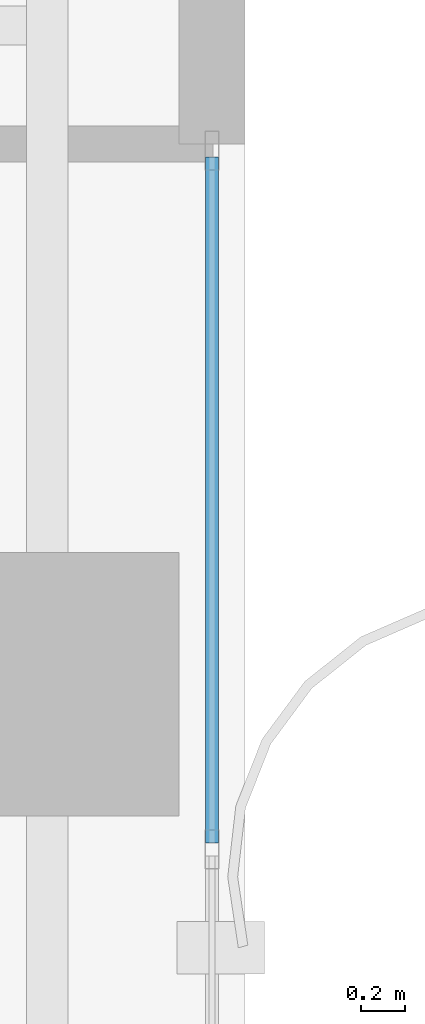
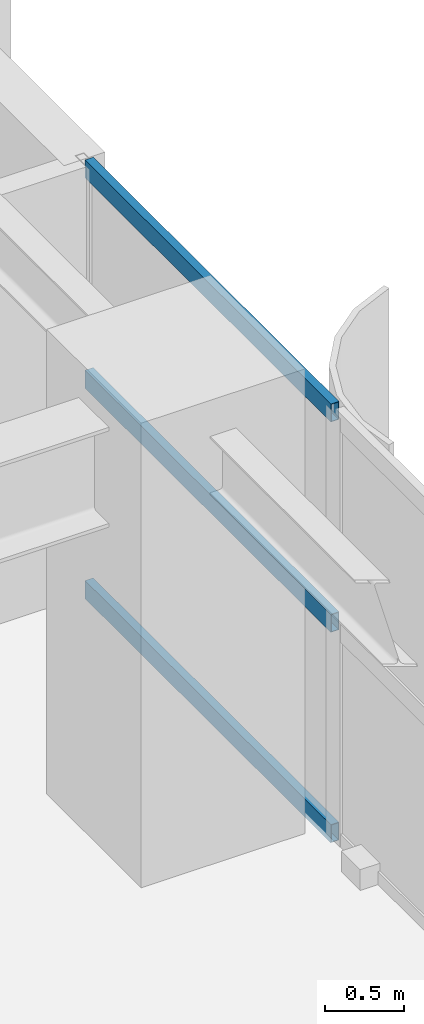
# One storey, part 8 of 23: 3 members, 1 element without a shape of its own.
"""IFC4 building model written with IfcOpenShell, lengths in metres."""

from ifc_helpers import new_model, si_unit, direction, frame, origin, origin_2d, place, context, subcontext, project, spatial, hollow_rectangle, extrude, source, transform, mapped, material, layer, layer_set, material_profile, profile_set, type_object, element, aggregate, save


model = new_model("IFC4")

# Units and contexts
model_context = context("Model", 3, precision=1e-05, world=origin(), true_north=direction((0.0, 1.0)))
body_context = subcontext(model_context, "Body", "Model", "MODEL_VIEW")
ifc_project = project(units=[si_unit("LENGTHUNIT", "METRE"), si_unit("AREAUNIT", "SQUARE_METRE"), si_unit("VOLUMEUNIT", "CUBIC_METRE"), si_unit("PLANEANGLEUNIT", "RADIAN"), si_unit("MASSUNIT", "GRAM", prefix="KILO")], contexts=[model_context])

# Site, building, storey
site_placement = place(None, origin())
site = spatial("IfcSite", under=ifc_project, at=site_placement, CompositionType="ELEMENT")
building_placement = place(site_placement, origin())
building = spatial("IfcBuilding", under=site, at=building_placement, Name="Khoralis Quay Care Tower", CompositionType="ELEMENT")
storey_placement = place(building_placement, frame((0.0, 0.0, 36.89990234375)))
storey = spatial("IfcBuildingStorey", under=building, at=storey_placement, Name="L09", CompositionType="ELEMENT", Elevation=36.89990234375)

# Curtain wall, members
ifc_material = material(Name="Pale anodised aluminium", Category="aluminium")
ifc_layer = layer(ifc_material, 0.179931640625)
ifc_layer_set = layer_set([ifc_layer], Name="Pale anodised aluminium")
curtain_wall_type = type_object("IfcCurtainWallType", Name="CW-SYS-Z1", PredefinedType="NOTDEFINED", material=ifc_layer_set)
curtain_wall_placement = place(storey_placement, origin())
curtain_wall = element("IfcCurtainWall", 1, at=curtain_wall_placement, inside=storey, type_object=curtain_wall_type, Name="L09 Unitised Curtain Wall CW-L09-P1-E5", PredefinedType="NOTDEFINED")
ifc_material_profile = material_profile(ifc_material, hollow_rectangle(XDim=0.06005859375, YDim=0.139892578125, WallThickness=0.00390625, at=origin_2d()), Name="Pale anodised aluminium")
ifc_profile_set = profile_set([ifc_material_profile], Name="Pale anodised aluminium")
member_type = type_object("IfcMemberType", Name="CW-TRN-140", PredefinedType="USERDEFINED", material=ifc_profile_set)
shared_shape = source(origin(), body_context, "Body", "SweptSolid", [
    extrude(hollow_rectangle(XDim=0.06005859375, YDim=0.139892578125, WallThickness=0.00390625, at=origin_2d()), origin(), (0.0, 0.0, 1.0), 3.121826171875),
])
member_1_placement = place(storey_placement, frame((47.85009765625, 29.278076171875, 0.030029296875), z_axis=(0.0, 1.0, 0.0), x_axis=(-1.0, 0.0, 0.0)))
member_1 = element("IfcMember", 2, at=member_1_placement, type_object=member_type, Name="CW1 transom 5.1", ObjectType="TRANSOM", PredefinedType="USERDEFINED", context=body_context, shape_type="MappedRepresentation", body=[
    mapped(shared_shape, transform((0.0, 0.0, 0.0), scale=1.0)),
])
member_2_placement = place(storey_placement, frame((47.85009765625, 29.278076171875, 1.66015625), z_axis=(0.0, 1.0, 0.0), x_axis=(-1.0, 0.0, 0.0)))
member_2 = element("IfcMember", 3, at=member_2_placement, type_object=member_type, Name="CW1 transom 5.2", ObjectType="TRANSOM", PredefinedType="USERDEFINED", context=body_context, shape_type="MappedRepresentation", body=[
    mapped(shared_shape, transform((0.0, 0.0, 0.0), scale=1.0)),
])
member_3_placement = place(storey_placement, frame((47.85009765625, 29.278076171875, 3.2900390625), z_axis=(0.0, 1.0, 0.0), x_axis=(-1.0, 0.0, 0.0)))
member_3 = element("IfcMember", 4, at=member_3_placement, type_object=member_type, Name="CW1 transom 5.3", ObjectType="TRANSOM", PredefinedType="USERDEFINED", context=body_context, shape_type="MappedRepresentation", body=[
    mapped(shared_shape, transform((0.0, 0.0, 0.0), scale=1.0)),
])
aggregate(curtain_wall, [member_1, member_2, member_3])

save(model, "model.ifc")
